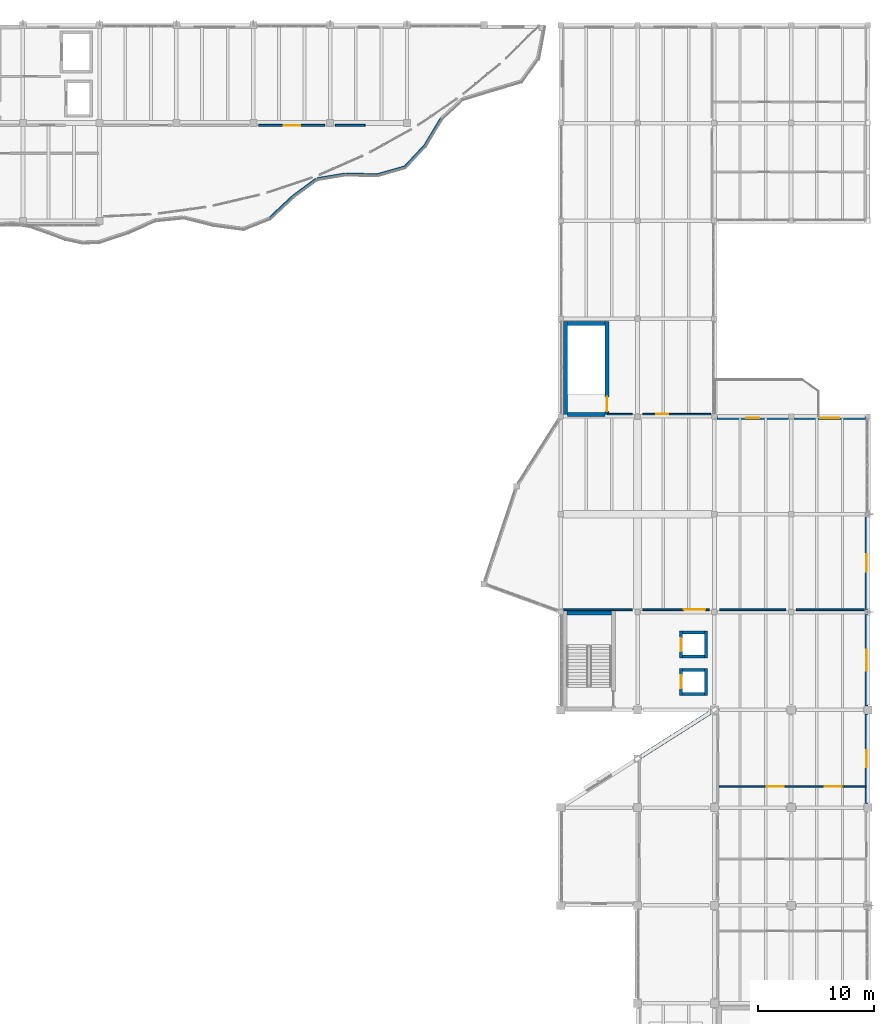
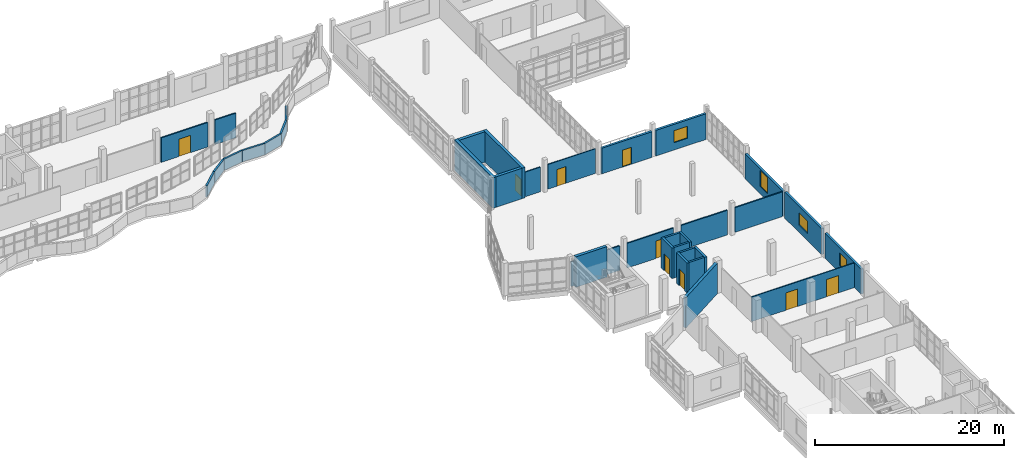
# One storey, part 54 of 74: 35 walls, 9 doors, 4 windows, 13 openings.
"""IFC4 building model written with IfcOpenShell, lengths in metres."""

import ifcopenshell
import ifcopenshell.guid

model = None  # the IFC model being written
_history = None  # IfcOwnerHistory: only IFC2X3 demands one
_inside = {}  # id of a spatial element -> (the spatial element, [elements in it])
_under = {}  # id of a project, library or spatial element -> (it, [spatial elements below it])
_declared = {}  # id of a project -> (the project, [libraries it declares])
_typed = {}  # id of a type object -> (the type object, [elements of that type])
_made_of = {}  # id of a material, layer set ... -> (it, [elements and type objects made of it])


def new_model(schema):
    """Start an empty IFC model of exactly this schema.

    Asked for "IFC4X3", IfcOpenShell would pick the latest addendum, in which some entities
    have other attributes; the version numbers below select the first issue.
    IFC2X3 requires an IfcOwnerHistory on every rooted entity: one is made here for all.
    """
    global model, _history
    if schema == "IFC4X3":
        model = ifcopenshell.file(schema_version=(4, 3, 0, 0))
    else:
        model = ifcopenshell.file(schema=schema)
    _inside.clear()
    _under.clear()
    _declared.clear()
    _typed.clear()
    _made_of.clear()
    _history = None
    if model.schema == "IFC2X3":
        org = make("IfcOrganization", Name="unknown")
        user = make(
            "IfcPersonAndOrganization",
            ThePerson=make("IfcPerson", FamilyName="unknown"),
            TheOrganization=org,
        )
        app = make(
            "IfcApplication",
            ApplicationDeveloper=org,
            Version="unknown",
            ApplicationFullName="unknown",
            ApplicationIdentifier="unknown",
        )
        _history = make(
            "IfcOwnerHistory",
            OwningUser=user,
            OwningApplication=app,
            ChangeAction="ADDED",
            CreationDate=0,
        )
    return model


def make(cls, **values):
    """One entity of the class cls with the attributes given. An attribute that is None is left unset."""
    return model.create_entity(
        cls, **{name: value for name, value in values.items() if value is not None}
    )


def rooted(cls, **values):
    """An entity with a GlobalId (a new one), such as an element, a storey or a relation."""
    return make(cls, GlobalId=ifcopenshell.guid.new(), OwnerHistory=_history, **values)


def si_unit(unit_type, name, prefix=None):
    """IfcSIUnit, for example si_unit("LENGTHUNIT", "METRE", prefix="MILLI")."""
    return make("IfcSIUnit", UnitType=unit_type, Prefix=prefix, Name=name)


def assignment(units):
    """IfcUnitAssignment: the units of a project."""
    return None if units is None else make("IfcUnitAssignment", Units=units)


def point(xyz):
    """IfcCartesianPoint."""
    return None if xyz is None else make("IfcCartesianPoint", Coordinates=xyz)


def direction(xyz):
    """IfcDirection."""
    return None if xyz is None else make("IfcDirection", DirectionRatios=xyz)


def frame(location, z_axis=None, x_axis=None):
    """IfcAxis2Placement3D, a coordinate frame: its origin and axes. An axis left out is left unset."""
    return make(
        "IfcAxis2Placement3D",
        Location=point(location),
        Axis=direction(z_axis),
        RefDirection=direction(x_axis),
    )


def frame_2d(location, x_axis=None):
    """IfcAxis2Placement2D, a coordinate frame in the plane: its origin and x axis."""
    return make(
        "IfcAxis2Placement2D", Location=point(location), RefDirection=direction(x_axis)
    )


def origin():
    """The frame at (0, 0, 0) with its axes left unset."""
    return frame((0.0, 0.0, 0.0))


def place(relative_to, where):
    """IfcLocalPlacement: puts the frame where relative to a parent placement (None: the world)."""
    return make(
        "IfcLocalPlacement", PlacementRelTo=relative_to, RelativePlacement=where
    )


def context(
    kind, dimensions, precision=None, world=None, true_north=None, identifier=None
):
    """IfcGeometricRepresentationContext, for example the 3D "Model" context."""
    return make(
        "IfcGeometricRepresentationContext",
        ContextIdentifier=identifier,
        ContextType=kind,
        CoordinateSpaceDimension=dimensions,
        Precision=precision,
        WorldCoordinateSystem=world,
        TrueNorth=true_north,
    )


def subcontext(parent, identifier, kind, view, scale=None):
    """IfcGeometricRepresentationSubContext, for example "Body" below "Model"."""
    return make(
        "IfcGeometricRepresentationSubContext",
        ContextIdentifier=identifier,
        ContextType=kind,
        ParentContext=parent,
        TargetScale=scale,
        TargetView=view,
    )


def project(units=None, contexts=None):
    """IfcProject with its units and contexts."""
    return rooted(
        "IfcProject",
        Name="project",
        RepresentationContexts=contexts,
        UnitsInContext=assignment(units),
    )


def spatial(cls, under=None, at=None, **own):
    """A site, building, storey or space (cls), placed at a placement, below another one or the project."""
    s = rooted(cls, ObjectPlacement=at, **own)
    if under is not None:
        _under.setdefault(under.id(), (under, []))[1].append(s)
    return s


def profile(cls, at=None, kind="AREA", **sizes):
    """A parametric profile (cls). Its sizes go by their IFC names, for example OverallWidth=200.0."""
    return make(cls, ProfileType=kind, Position=at, **sizes)


def rectangle(**sizes):
    """IfcRectangleProfileDef."""
    return profile("IfcRectangleProfileDef", **sizes)


def extrude(swept, where, along, depth):
    """IfcExtrudedAreaSolid: the profile swept, set in the frame where, extruded along a direction by depth."""
    return make(
        "IfcExtrudedAreaSolid",
        SweptArea=swept,
        Position=where,
        ExtrudedDirection=direction(along),
        Depth=depth,
    )


def shape(context_of_items, identifier, shape_type, items):
    """IfcShapeRepresentation: the items that make up one representation, for example the "Body"."""
    return make(
        "IfcShapeRepresentation",
        ContextOfItems=context_of_items,
        RepresentationIdentifier=identifier,
        RepresentationType=shape_type,
        Items=items,
    )


def material(Name=None, Category=None):
    """IfcMaterial."""
    return make("IfcMaterial", Name=Name, Category=Category)


def layer(
    of_material, thickness, ventilated=None, Name=None, Category=None, Priority=None
):
    """IfcMaterialLayer: one layer of a wall or slab, of a material (None: an air gap)."""
    return make(
        "IfcMaterialLayer",
        Material=of_material,
        LayerThickness=thickness,
        IsVentilated=ventilated,
        Name=Name,
        Category=Category,
        Priority=Priority,
    )


def layer_set(layers, Name=None):
    """IfcMaterialLayerSet."""
    return make("IfcMaterialLayerSet", MaterialLayers=layers, LayerSetName=Name)


def made_of(thing, what):
    """Note that an element or type object is made of a material, layer set ...; save() writes the relation."""
    if what is not None:
        _made_of.setdefault(what.id(), (what, []))[1].append(thing)
    return thing


def type_object(cls, material=None, **own):
    """A type object (cls), such as IfcWallType, which elements share."""
    return made_of(rooted(cls, **own), material)


def element(
    cls,
    number,
    at=None,
    inside=None,
    cuts=None,
    type_object=None,
    material=None,
    context=None,
    identifier="Body",
    shape_type=None,
    held_by="IfcProductDefinitionShape",
    body=None,
    shapes=None,
    **own,
):
    """One element of the class cls, such as IfcWall. Its Tag is "e" and its number.

    at: its placement. inside: the storey or other place that contains it. cuts: it is an
    opening in that element (IfcRelVoidsElement). A single representation is given by context,
    identifier, shape_type and body (its items); several are given by shapes. held_by: the class
    of the entity that holds the representations. save() writes the other relations.
    """
    e = rooted(cls, Tag="e%d" % number, ObjectPlacement=at, **own)
    if body is not None:
        shapes = [shape(context, identifier, shape_type, body)]
    if shapes is not None:
        e.Representation = make(held_by, Representations=shapes)
    if inside is not None:
        _inside.setdefault(inside.id(), (inside, []))[1].append(e)
    if cuts is not None:
        rooted(
            "IfcRelVoidsElement", RelatingBuildingElement=cuts, RelatedOpeningElement=e
        )
    if type_object is not None:
        _typed.setdefault(type_object.id(), (type_object, []))[1].append(e)
    return made_of(e, material)


def fill(opening, filler):
    """IfcRelFillsElement: the door or window that sits in an opening."""
    return rooted(
        "IfcRelFillsElement",
        RelatingOpeningElement=opening,
        RelatedBuildingElement=filler,
    )


def aggregate(whole, parts):
    """IfcRelAggregates: a whole, such as a stair, and the parts it consists of."""
    return rooted("IfcRelAggregates", RelatingObject=whole, RelatedObjects=parts)


def save(model, path):
    """Write the relations noted so far, then the file.

    IfcRelAggregates (storeys below a building ...), IfcRelContainedInSpatialStructure (elements
    in a storey), IfcRelDefinesByType, IfcRelAssociatesMaterial and IfcRelDeclares: one each for
    every whole, place, type object, material and project.
    """
    for whole, parts in _under.values():
        aggregate(whole, parts)
    for where, things in _inside.values():
        rooted(
            "IfcRelContainedInSpatialStructure",
            RelatedElements=things,
            RelatingStructure=where,
        )
    for kind, things in _typed.values():
        rooted("IfcRelDefinesByType", RelatedObjects=things, RelatingType=kind)
    for what, things in _made_of.values():
        rooted("IfcRelAssociatesMaterial", RelatedObjects=things, RelatingMaterial=what)
    for by, libraries in _declared.values():
        rooted("IfcRelDeclares", RelatingContext=by, RelatedDefinitions=libraries)
    model.write(path)


model = new_model("IFC4")

# Units and contexts
model_context = context("Model", 3, precision=1e-05, world=origin(), true_north=direction((0.0, 1.0)))
body_context = subcontext(model_context, "Body", "Model", "MODEL_VIEW")
ifc_project = project(units=[si_unit("LENGTHUNIT", "METRE"), si_unit("AREAUNIT", "SQUARE_METRE"), si_unit("VOLUMEUNIT", "CUBIC_METRE"), si_unit("PLANEANGLEUNIT", "RADIAN"), si_unit("MASSUNIT", "GRAM", prefix="KILO")], contexts=[model_context])

# Site, building, storey
site_placement = place(None, origin())
site = spatial("IfcSite", under=ifc_project, at=site_placement, CompositionType="ELEMENT")
building_placement = place(site_placement, origin())
building = spatial("IfcBuilding", under=site, at=building_placement, Name="Qaldarim Faculty of Natural and Applied Sciences", CompositionType="ELEMENT")
storey_placement = place(building_placement, frame((0.0, 0.0, 14.39990234375)))
storey = spatial("IfcBuildingStorey", under=building, at=storey_placement, Name="L03", CompositionType="ELEMENT", Elevation=14.39990234375)

# Wall
ifc_material_1 = material(Name="Painted gypsum partition board")
ifc_layer_1 = layer(ifc_material_1, 0.1201171875)
ifc_layer_set_1 = layer_set([ifc_layer_1], Name="Painted gypsum partition board")
wall_type_1 = type_object("IfcWallType", Name="AcousticPartition-120", PredefinedType="PARTITIONING", material=ifc_layer_set_1)
wall_1_placement = place(storey_placement, frame((155.800048828125, 84.199951171875, 0.0), z_axis=(0.0, 0.0, 1.0), x_axis=(1.0, 0.0, 0.0)))
element("IfcWall", 1, at=wall_1_placement, inside=storey, type_object=wall_type_1, Name="Interior partition PRT-L03-V3-DIGS-S1", PredefinedType="PARTITIONING", context=body_context, shape_type="SweptSolid", body=[
    extrude(rectangle(XDim=2.14990234375, YDim=0.1201171875, at=frame_2d((1.074951171875, 0.0))), origin(), (0.0, 0.0, 1.0), 3.190185546875),
])

# Wall, opening, door
wall_2_placement = place(storey_placement, frame((158.85009765625, 84.199951171875, 0.0), z_axis=(0.0, 0.0, 1.0), x_axis=(1.0, 0.0, 0.0)))
wall_2 = element("IfcWall", 2, at=wall_2_placement, inside=storey, type_object=wall_type_1, Name="Interior partition PRT-L03-V3-DIGS-S2", PredefinedType="PARTITIONING", context=body_context, shape_type="SweptSolid", body=[
    extrude(rectangle(XDim=5.829833984375, YDim=0.1201171875, at=frame_2d((2.9150390625, 0.0))), origin(), (0.0, 0.0, 1.0), 3.190185546875),
])
opening_1_placement = place(wall_2_placement, frame((1.14990234375, 0.0, 0.0)))
opening_1 = element("IfcOpeningElement", 3, at=opening_1_placement, cuts=wall_2, Name="Opening ID02", PredefinedType="OPENING", context=body_context, shape_type="SweptSolid", body=[
    extrude(rectangle(XDim=1.050048828125, YDim=2.14990234375, at=frame_2d((0.52490234375, 1.074951171875))), frame((0.0, 0.070068359375, 0.0), z_axis=(0.0, -1.0, 0.0), x_axis=(1.0, 0.0, 0.0)), (0.0, 0.0, 1.0), 0.14013671875),
])
ifc_material_2 = material(Name="Oak hardwood", Category="wood")
door_type_1 = type_object("IfcDoorType", Name="AccessibleRoomDoor-1050x2150", OperationType="NOTDEFINED", PredefinedType="DOOR", material=ifc_material_2)
door_1_placement = place(opening_1_placement, origin())
door_1 = element("IfcDoor", 4, at=door_1_placement, inside=storey, type_object=door_type_1, Name="Interior door D-L03-236", OperationType="SINGLE_SWING_LEFT", OverallHeight=2.14990234375, OverallWidth=1.050048828125, PredefinedType="DOOR", context=body_context, shape_type="SweptSolid", body=[
    extrude(rectangle(XDim=1.050048828125, YDim=2.14990234375, at=frame_2d((0.52490234375, 1.074951171875))), frame((0.0, 0.02490234375, 0.0), z_axis=(0.0, -1.0, 0.0), x_axis=(1.0, 0.0, 0.0)), (0.0, 0.0, 1.0), 0.050048828125),
])
fill(opening_1, door_1)

# Wall, openings, doors
wall_3_placement = place(storey_placement, frame((165.300048828125, 52.199951171875, 0.0), z_axis=(0.0, 0.0, 1.0), x_axis=(1.0, 0.0, 0.0)))
wall_3 = element("IfcWall", 5, at=wall_3_placement, inside=storey, type_object=wall_type_1, Name="Interior partition PRT-L03-V5-SUB-3", PredefinedType="PARTITIONING", context=body_context, shape_type="SweptSolid", body=[
    extrude(rectangle(XDim=12.75, YDim=0.1201171875, at=frame_2d((6.375, 0.0))), origin(), (0.0, 0.0, 1.0), 3.190185546875),
])
opening_2_placement = place(wall_3_placement, frame((4.199951171875, 0.0, 0.0)))
opening_2 = element("IfcOpeningElement", 6, at=opening_2_placement, cuts=wall_3, Name="Opening ID11", PredefinedType="OPENING", context=body_context, shape_type="SweptSolid", body=[
    extrude(rectangle(XDim=1.449951171875, YDim=2.25, at=frame_2d((0.72509765625, 1.125))), frame((0.0, 0.070068359375, 0.0), z_axis=(0.0, -1.0, 0.0), x_axis=(1.0, 0.0, 0.0)), (0.0, 0.0, 1.0), 0.14013671875),
])
opening_3_placement = place(wall_3_placement, frame((9.199951171875, 0.0, 0.0)))
opening_3 = element("IfcOpeningElement", 7, at=opening_3_placement, cuts=wall_3, Name="Opening ID11", PredefinedType="OPENING", context=body_context, shape_type="SweptSolid", body=[
    extrude(rectangle(XDim=1.449951171875, YDim=2.25, at=frame_2d((0.72509765625, 1.125))), frame((0.0, 0.070068359375, 0.0), z_axis=(0.0, -1.0, 0.0), x_axis=(1.0, 0.0, 0.0)), (0.0, 0.0, 1.0), 0.14013671875),
])
ifc_material_3 = material(Name="Architectural stainless steel 316", Category="steel")
door_type_2 = type_object("IfcDoorType", Name="InstrumentSuiteDoor-1450x2250", OperationType="NOTDEFINED", PredefinedType="DOOR", material=ifc_material_3)
door_2_placement = place(opening_2_placement, origin())
door_2 = element("IfcDoor", 8, at=door_2_placement, inside=storey, type_object=door_type_2, Name="Interior door D-L03-333", OperationType="SINGLE_SWING_LEFT", OverallHeight=2.25, OverallWidth=1.449951171875, PredefinedType="DOOR", context=body_context, shape_type="SweptSolid", body=[
    extrude(rectangle(XDim=1.449951171875, YDim=2.25, at=frame_2d((0.72509765625, 1.125))), frame((0.0, 0.02490234375, 0.0), z_axis=(0.0, -1.0, 0.0), x_axis=(1.0, 0.0, 0.0)), (0.0, 0.0, 1.0), 0.050048828125),
])
fill(opening_2, door_2)
door_3_placement = place(opening_3_placement, origin())
door_3 = element("IfcDoor", 9, at=door_3_placement, inside=storey, type_object=door_type_2, Name="Interior door D-L03-334", OperationType="SINGLE_SWING_RIGHT", OverallHeight=2.25, OverallWidth=1.449951171875, PredefinedType="DOOR", context=body_context, shape_type="SweptSolid", body=[
    extrude(rectangle(XDim=1.449951171875, YDim=2.25, at=frame_2d((0.72509765625, 1.125))), frame((0.0, 0.02490234375, 0.0), z_axis=(0.0, -1.0, 0.0), x_axis=(1.0, 0.0, 0.0)), (0.0, 0.0, 1.0), 0.050048828125),
])
fill(opening_3, door_3)

# Walls
ifc_material_4 = material(Name="Concrete C50/60", Category="concrete")
ifc_layer_2 = layer(ifc_material_4, 0.360107421875)
ifc_layer_set_2 = layer_set([ifc_layer_2], Name="Concrete C50/60")
wall_type_2 = type_object("IfcWallType", Name="CoreShearWall-360", PredefinedType="SHEAR", material=ifc_layer_set_2)
wall_4_placement = place(storey_placement, frame((152.35009765625, 67.1298828125, 0.0), z_axis=(0.0, 0.0, 1.0), x_axis=(1.0, 0.0, 0.0)))
element("IfcWall", 10, at=wall_4_placement, inside=storey, type_object=wall_type_2, Name="Core stair ST-C1 north shear wall L03", PredefinedType="SHEAR", context=body_context, shape_type="SweptSolid", body=[
    extrude(rectangle(XDim=3.7998046875, YDim=0.360107421875, at=frame_2d((1.89990234375, 0.0))), origin(), (0.0, 0.0, 1.0), 3.940185546875),
])
wall_5_placement = place(storey_placement, frame((152.219970703125, 83.989990234375, 0.0), z_axis=(0.0, 0.0, 1.0), x_axis=(0.0, 1.0, 0.0)))
element("IfcWall", 11, at=wall_5_placement, inside=storey, type_object=wall_type_2, Name="Core stair ST-C2 west shear wall L03", PredefinedType="SHEAR", context=body_context, shape_type="SweptSolid", body=[
    extrude(rectangle(XDim=8.169921875, YDim=0.360107421875, at=frame_2d((4.0849609375, 0.0))), origin(), (0.0, 0.0, 1.0), 3.940185546875),
])

# Wall, opening, door
wall_6_placement = place(storey_placement, frame((155.780029296875, 83.989990234375, 0.0), z_axis=(0.0, 0.0, 1.0), x_axis=(0.0, 1.0, 0.0)))
wall_6 = element("IfcWall", 12, at=wall_6_placement, inside=storey, type_object=wall_type_2, Name="Core stair ST-C2 east shear wall L03", PredefinedType="SHEAR", context=body_context, shape_type="SweptSolid", body=[
    extrude(rectangle(XDim=8.169921875, YDim=0.360107421875, at=frame_2d((4.0849609375, 0.0))), origin(), (0.0, 0.0, 1.0), 3.940185546875),
])
opening_4_placement = place(wall_6_placement, frame((0.449951171875, 0.0, 0.0)))
opening_4 = element("IfcOpeningElement", 13, at=opening_4_placement, cuts=wall_6, Name="Opening ID04", PredefinedType="OPENING", context=body_context, shape_type="SweptSolid", body=[
    extrude(rectangle(XDim=1.25, YDim=2.14990234375, at=frame_2d((0.625, 1.074951171875))), frame((0.0, 0.18994140625, 0.0), z_axis=(0.0, -1.0, 0.0), x_axis=(1.0, 0.0, 0.0)), (0.0, 0.0, 1.0), 0.380126953125),
])
door_type_3 = type_object("IfcDoorType", Name="StairEnclosureFireDoor-1250x2150", OperationType="NOTDEFINED", PredefinedType="DOOR", material=ifc_material_3)
door_4_placement = place(opening_4_placement, origin())
door_4 = element("IfcDoor", 14, at=door_4_placement, inside=storey, type_object=door_type_3, Name="Protected stair ST-C2 fire door D-L03-547", OperationType="SINGLE_SWING_LEFT", OverallHeight=2.14990234375, OverallWidth=1.25, PredefinedType="DOOR", context=body_context, shape_type="SweptSolid", body=[
    extrude(rectangle(XDim=1.25, YDim=2.14990234375, at=frame_2d((0.625, 1.074951171875))), frame((0.0, 0.02490234375, 0.0), z_axis=(0.0, -1.0, 0.0), x_axis=(1.0, 0.0, 0.0)), (0.0, 0.0, 1.0), 0.050048828125),
])
fill(opening_4, door_4)

# Walls
for number, where, z_axis, x_axis, name in (
    (15, (152.39990234375, 91.97998046875, 0.0), (0.0, 0.0, 1.0), (1.0, 0.0, 0.0), "Core stair ST-C2 north shear wall L03"),
    (16, (152.39990234375, 84.169921875, 0.0), (0.0, 0.0, 1.0), (1.0, 0.0, 0.0), "Core stair ST-C2 south shear wall L03"),
):
    element("IfcWall", number, at=place(storey_placement, frame(where, z_axis=z_axis, x_axis=x_axis)), inside=storey, type_object=wall_type_2, Name=name, PredefinedType="SHEAR", context=body_context, shape_type="SweptSolid", body=[
        extrude(rectangle(XDim=3.2001953125, YDim=0.360107421875, at=frame_2d((1.60009765625, 0.0))), origin(), (0.0, 0.0, 1.0), 3.940185546875),
    ])

# Wall, opening, door
ifc_material_5 = material(Name="Precast concrete C40/50", Category="concrete")
ifc_layer_3 = layer(ifc_material_5, 0.280029296875)
ifc_layer_set_3 = layer_set([ifc_layer_3], Name="Precast concrete C40/50")
wall_type_3 = type_object("IfcWallType", Name="ExteriorSpandrelWall-280", PredefinedType="SOLIDWALL", material=ifc_layer_set_3)
wall_7_placement = place(storey_placement, frame((171.3798828125, 83.860107421875, 0.0), z_axis=(0.0, 0.0, 1.0), x_axis=(-1.0, 0.0, 0.0)))
wall_7 = element("IfcWall", 17, at=wall_7_placement, inside=storey, type_object=wall_type_3, Name="Exterior wall EW02 L03 N X26Y10", PredefinedType="SOLIDWALL", context=body_context, shape_type="SweptSolid", body=[
    extrude(rectangle(XDim=6.159912109375, YDim=0.280029296875, at=frame_2d((3.080078125, 0.0))), origin(), (0.0, 0.0, 1.0), 3.3251953125),
])
opening_5_placement = place(wall_7_placement, frame((2.530029296875, 0.0, 0.0)))
opening_5 = element("IfcOpeningElement", 18, at=opening_5_placement, cuts=wall_7, Name="Opening ED03", PredefinedType="OPENING", context=body_context, shape_type="SweptSolid", body=[
    extrude(rectangle(XDim=1.10009765625, YDim=2.199951171875, at=frame_2d((0.550048828125, 1.10009765625))), frame((0.0, 0.14990234375, 0.0), z_axis=(0.0, -1.0, 0.0), x_axis=(1.0, 0.0, 0.0)), (0.0, 0.0, 1.0), 0.300048828125),
])
ifc_material_6 = material(Name="Anodised aluminium AW-6063", Category="aluminium")
door_type_4 = type_object("IfcDoorType", Name="TerraceAccessDoor-1100x2200", OperationType="NOTDEFINED", PredefinedType="DOOR", material=ifc_material_6)
door_5_placement = place(opening_5_placement, frame((1.10009765625, 0.0, 0.0), z_axis=(0.0, 0.0, 1.0), x_axis=(-1.0, 0.0, 0.0)))
door_5 = element("IfcDoor", 19, at=door_5_placement, inside=storey, type_object=door_type_4, Name="Terrace access door D-L03-024", OperationType="SINGLE_SWING_LEFT", OverallHeight=2.199951171875, OverallWidth=1.10009765625, PredefinedType="DOOR", context=body_context, shape_type="SweptSolid", body=[
    extrude(rectangle(XDim=1.10009765625, YDim=2.199951171875, at=frame_2d((0.550048828125, 1.10009765625))), frame((0.0, 0.02490234375, 0.0), z_axis=(0.0, -1.0, 0.0), x_axis=(1.0, 0.0, 0.0)), (0.0, 0.0, 1.0), 0.050048828125),
])
fill(opening_5, door_5)

# Wall, opening, window
wall_8_placement = place(storey_placement, frame((178.06005859375, 50.7451171875, 0.0), z_axis=(0.0, 0.0, 1.0), x_axis=(0.0, 1.0, 0.0)))
wall_8 = element("IfcWall", 20, at=wall_8_placement, inside=storey, type_object=wall_type_3, Name="Exterior wall EW02 L03 E X27Y07", PredefinedType="SOLIDWALL", context=body_context, shape_type="SweptSolid", body=[
    extrude(rectangle(XDim=7.7099609375, YDim=0.280029296875, at=frame_2d((3.85498046875, 0.0))), origin(), (0.0, 0.0, 1.0), 3.22509765625),
])
opening_6_placement = place(wall_8_placement, frame((3.1298828125, 0.0, 0.949951171875)))
opening_6 = element("IfcOpeningElement", 21, at=opening_6_placement, cuts=wall_8, Name="Opening WN32", PredefinedType="OPENING", context=body_context, shape_type="SweptSolid", body=[
    extrude(rectangle(XDim=1.449951171875, YDim=1.60009765625, at=frame_2d((0.72509765625, 0.800048828125))), frame((0.0, 0.14990234375, 0.0), z_axis=(0.0, -1.0, 0.0), x_axis=(1.0, 0.0, 0.0)), (0.0, 0.0, 1.0), 0.300048828125),
])
ifc_material_7 = material(Name="Insulated low-e double glazing", Category="glass")
window_type_1 = type_object("IfcWindowType", Name="SeminarWindow-1450x1600", PartitioningType="DOUBLE_PANEL_VERTICAL", PredefinedType="WINDOW", material=ifc_material_7)
window_1_placement = place(opening_6_placement, origin())
window_1 = element("IfcWindow", 22, at=window_1_placement, inside=storey, type_object=window_type_1, Name="Facade window WN32 L03 E X27Y07", OverallHeight=1.60009765625, OverallWidth=1.449951171875, PartitioningType="SINGLE_PANEL", PredefinedType="WINDOW", context=body_context, shape_type="SweptSolid", body=[
    extrude(rectangle(XDim=1.449951171875, YDim=1.60009765625, at=frame_2d((0.72509765625, 0.800048828125))), frame((0.0, 0.030029296875, 0.0), z_axis=(0.0, -1.0, 0.0), x_axis=(1.0, 0.0, 0.0)), (0.0, 0.0, 1.0), 0.06005859375),
])
fill(opening_6, window_1)

wall_9_placement = place(storey_placement, frame((178.06005859375, 59.14501953125, 0.0), z_axis=(0.0, 0.0, 1.0), x_axis=(0.0, 1.0, 0.0)))
wall_9 = element("IfcWall", 23, at=wall_9_placement, inside=storey, type_object=wall_type_3, Name="Exterior wall EW02 L03 E X27Y08", PredefinedType="SOLIDWALL", context=body_context, shape_type="SweptSolid", body=[
    extrude(rectangle(XDim=7.8349609375, YDim=0.280029296875, at=frame_2d((3.91748046875, 0.0))), origin(), (0.0, 0.0, 1.0), 3.375),
])
opening_7_placement = place(wall_9_placement, frame((3.02001953125, 0.0, 0.949951171875)))
opening_7 = element("IfcOpeningElement", 24, at=opening_7_placement, cuts=wall_9, Name="Opening WN02", PredefinedType="OPENING", context=body_context, shape_type="SweptSolid", body=[
    extrude(rectangle(XDim=1.800048828125, YDim=1.60009765625, at=frame_2d((0.89990234375, 0.800048828125))), frame((0.0, 0.14990234375, 0.0), z_axis=(0.0, -1.0, 0.0), x_axis=(1.0, 0.0, 0.0)), (0.0, 0.0, 1.0), 0.300048828125),
])
window_type_2 = type_object("IfcWindowType", Name="Window-1800x1600", PartitioningType="DOUBLE_PANEL_VERTICAL", PredefinedType="WINDOW", material=ifc_material_7)
window_2_placement = place(opening_7_placement, origin())
window_2 = element("IfcWindow", 25, at=window_2_placement, inside=storey, type_object=window_type_2, Name="Facade window WN02 L03 E X27Y08", OverallHeight=1.60009765625, OverallWidth=1.800048828125, PartitioningType="SINGLE_PANEL", PredefinedType="WINDOW", context=body_context, shape_type="SweptSolid", body=[
    extrude(rectangle(XDim=1.800048828125, YDim=1.60009765625, at=frame_2d((0.89990234375, 0.800048828125))), frame((0.0, 0.030029296875, 0.0), z_axis=(0.0, -1.0, 0.0), x_axis=(1.0, 0.0, 0.0)), (0.0, 0.0, 1.0), 0.06005859375),
])
fill(opening_7, window_2)

wall_10_placement = place(storey_placement, frame((178.06005859375, 67.419921875, 0.0), z_axis=(0.0, 0.0, 1.0), x_axis=(0.0, 1.0, 0.0)))
wall_10 = element("IfcWall", 26, at=wall_10_placement, inside=storey, type_object=wall_type_3, Name="Exterior wall EW02 L03 E X27Y09", PredefinedType="SOLIDWALL", context=body_context, shape_type="SweptSolid", body=[
    extrude(rectangle(XDim=7.9599609375, YDim=0.280029296875, at=frame_2d((3.97998046875, 0.0))), origin(), (0.0, 0.0, 1.0), 3.22509765625),
])
opening_8_placement = place(wall_10_placement, frame((3.22998046875, 0.0, 0.949951171875)))
opening_8 = element("IfcOpeningElement", 27, at=opening_8_placement, cuts=wall_10, Name="Opening WN06", PredefinedType="OPENING", context=body_context, shape_type="SweptSolid", body=[
    extrude(rectangle(XDim=1.5, YDim=2.10009765625, at=frame_2d((0.75, 1.050048828125))), frame((0.0, 0.14990234375, 0.0), z_axis=(0.0, -1.0, 0.0), x_axis=(1.0, 0.0, 0.0)), (0.0, 0.0, 1.0), 0.300048828125),
])
window_type_3 = type_object("IfcWindowType", Name="Window-1500x2100", PartitioningType="DOUBLE_PANEL_VERTICAL", PredefinedType="WINDOW", material=ifc_material_7)
window_3_placement = place(opening_8_placement, origin())
window_3 = element("IfcWindow", 28, at=window_3_placement, inside=storey, type_object=window_type_3, Name="Facade window WN06 L03 E X27Y09", OverallHeight=2.10009765625, OverallWidth=1.5, PartitioningType="SINGLE_PANEL", PredefinedType="WINDOW", context=body_context, shape_type="SweptSolid", body=[
    extrude(rectangle(XDim=1.5, YDim=2.10009765625, at=frame_2d((0.75, 1.050048828125))), frame((0.0, 0.030029296875, 0.0), z_axis=(0.0, -1.0, 0.0), x_axis=(1.0, 0.0, 0.0)), (0.0, 0.0, 1.0), 0.06005859375),
])
fill(opening_8, window_3)

wall_11_placement = place(storey_placement, frame((177.97998046875, 83.860107421875, 0.0), z_axis=(0.0, 0.0, 1.0), x_axis=(-1.0, 0.0, 0.0)))
wall_11 = element("IfcWall", 29, at=wall_11_placement, inside=storey, type_object=wall_type_3, Name="Exterior wall EW02 L03 N X27Y10", PredefinedType="SOLIDWALL", context=body_context, shape_type="SweptSolid", body=[
    extrude(rectangle(XDim=6.159912109375, YDim=0.280029296875, at=frame_2d((3.080078125, 0.0))), origin(), (0.0, 0.0, 1.0), 3.3251953125),
])
opening_9_placement = place(wall_11_placement, frame((2.2548828125, 0.0, 0.949951171875)))
opening_9 = element("IfcOpeningElement", 30, at=opening_9_placement, cuts=wall_11, Name="Opening WN10", PredefinedType="OPENING", context=body_context, shape_type="SweptSolid", body=[
    extrude(rectangle(XDim=1.64990234375, YDim=1.550048828125, at=frame_2d((0.824951171875, 0.77490234375))), frame((0.0, 0.14990234375, 0.0), z_axis=(0.0, -1.0, 0.0), x_axis=(1.0, 0.0, 0.0)), (0.0, 0.0, 1.0), 0.300048828125),
])
window_type_4 = type_object("IfcWindowType", Name="LabWindow-1650x1550", PartitioningType="DOUBLE_PANEL_VERTICAL", PredefinedType="WINDOW", material=ifc_material_7)
window_4_placement = place(opening_9_placement, origin())
window_4 = element("IfcWindow", 31, at=window_4_placement, inside=storey, type_object=window_type_4, Name="Facade window WN10 L03 N X27Y10", OverallHeight=1.550048828125, OverallWidth=1.64990234375, PartitioningType="SINGLE_PANEL", PredefinedType="WINDOW", context=body_context, shape_type="SweptSolid", body=[
    extrude(rectangle(XDim=1.64990234375, YDim=1.550048828125, at=frame_2d((0.824951171875, 0.77490234375))), frame((0.0, 0.030029296875, 0.0), z_axis=(0.0, -1.0, 0.0), x_axis=(1.0, 0.0, 0.0)), (0.0, 0.0, 1.0), 0.06005859375),
])
fill(opening_9, window_4)

# Wall
ifc_layer_4 = layer(ifc_material_4, 0.340087890625)
ifc_layer_set_4 = layer_set([ifc_layer_4], Name="Concrete C50/60")
wall_type_4 = type_object("IfcWallType", Name="ExteriorStairShearWall-340", PredefinedType="SHEAR", material=ifc_layer_set_4)
wall_12_placement = place(storey_placement, frame((158.64990234375, 54.760009765625, 0.0), z_axis=(0.0, 0.0, 1.0), x_axis=(0.843786613851, 0.536678814829, 0.0)))
element("IfcWall", 32, at=wall_12_placement, inside=storey, type_object=wall_type_4, Name="Oblique NW chamfer braced wall L03 2", PredefinedType="SHEAR", context=body_context, shape_type="SweptSolid", body=[
    extrude(rectangle(XDim=7.2294921875, YDim=0.340087890625, at=frame_2d((3.61474609375, 0.0))), origin(), (0.0, 0.0, 1.0), 3.940185546875),
])

# Wall, opening, door
ifc_material_8 = material(Name="Concrete C40/50", Category="concrete")
ifc_layer_5 = layer(ifc_material_8, 0.159912109375)
ifc_layer_set_5 = layer_set([ifc_layer_5], Name="Concrete C40/50")
wall_type_5 = type_object("IfcWallType", Name="FireCorridorWall-160", PredefinedType="PARTITIONING", material=ifc_layer_set_5)
wall_13_placement = place(storey_placement, frame((125.85009765625, 109.0, 0.0), z_axis=(0.0, 0.0, 1.0), x_axis=(1.0, 0.0, 0.0)))
wall_13 = element("IfcWall", 33, at=wall_13_placement, inside=storey, type_object=wall_type_5, Name="Interior partition PRT-L03-V4-CORSE-S3", PredefinedType="PARTITIONING", context=body_context, shape_type="SweptSolid", body=[
    extrude(rectangle(XDim=5.699951171875, YDim=0.159912109375, at=frame_2d((2.85009765625, 0.0))), origin(), (0.0, 0.0, 1.0), 3.175048828125),
])
opening_10_placement = place(wall_13_placement, frame((2.14990234375, 0.0, 0.0)))
opening_10 = element("IfcOpeningElement", 34, at=opening_10_placement, cuts=wall_13, Name="Opening ID11", PredefinedType="OPENING", context=body_context, shape_type="SweptSolid", body=[
    extrude(rectangle(XDim=1.449951171875, YDim=2.25, at=frame_2d((0.72509765625, 1.125))), frame((0.0, 0.08984375, 0.0), z_axis=(0.0, -1.0, 0.0), x_axis=(1.0, 0.0, 0.0)), (0.0, 0.0, 1.0), 0.179931640625),
])
door_6_placement = place(opening_10_placement, origin())
door_6 = element("IfcDoor", 35, at=door_6_placement, inside=storey, type_object=door_type_2, Name="Interior door D-L03-234", OperationType="SINGLE_SWING_RIGHT", OverallHeight=2.25, OverallWidth=1.449951171875, PredefinedType="DOOR", context=body_context, shape_type="SweptSolid", body=[
    extrude(rectangle(XDim=1.449951171875, YDim=2.25, at=frame_2d((0.72509765625, 1.125))), frame((0.0, 0.02490234375, 0.0), z_axis=(0.0, -1.0, 0.0), x_axis=(1.0, 0.0, 0.0)), (0.0, 0.0, 1.0), 0.050048828125),
])
fill(opening_10, door_6)

# Walls
wall_14_placement = place(storey_placement, frame((132.449951171875, 109.0, 0.0), z_axis=(0.0, 0.0, 1.0), x_axis=(1.0, 0.0, 0.0)))
element("IfcWall", 36, at=wall_14_placement, inside=storey, type_object=wall_type_5, Name="Interior partition PRT-L03-V4-CORSE-S4", PredefinedType="PARTITIONING", context=body_context, shape_type="SweptSolid", body=[
    extrude(rectangle(XDim=2.550048828125, YDim=0.159912109375, at=frame_2d((1.27490234375, 0.0))), origin(), (0.0, 0.0, 1.0), 3.175048828125),
])
wall_15_placement = place(storey_placement, frame((152.0, 67.39990234375, 0.0), z_axis=(0.0, 0.0, 1.0), x_axis=(1.0, 0.0, 0.0)))
element("IfcWall", 37, at=wall_15_placement, inside=storey, type_object=wall_type_5, Name="Interior partition PRT-L03-V3-SPCS-S1", PredefinedType="PARTITIONING", context=body_context, shape_type="SweptSolid", body=[
    extrude(rectangle(XDim=5.949951171875, YDim=0.159912109375, at=frame_2d((2.97509765625, 0.0))), origin(), (0.0, 0.0, 1.0), 3.190185546875),
])

# Wall, opening, door
wall_16_placement = place(storey_placement, frame((158.85009765625, 67.39990234375, 0.0), z_axis=(0.0, 0.0, 1.0), x_axis=(1.0, 0.0, 0.0)))
wall_16 = element("IfcWall", 38, at=wall_16_placement, inside=storey, type_object=wall_type_5, Name="Interior partition PRT-L03-V3-SPCS-S2", PredefinedType="PARTITIONING", context=body_context, shape_type="SweptSolid", body=[
    extrude(rectangle(XDim=5.699951171875, YDim=0.159912109375, at=frame_2d((2.85009765625, 0.0))), origin(), (0.0, 0.0, 1.0), 3.190185546875),
])
opening_11_placement = place(wall_16_placement, frame((3.5, 0.0, 0.0)))
opening_11 = element("IfcOpeningElement", 39, at=opening_11_placement, cuts=wall_16, Name="Opening ID05", PredefinedType="OPENING", context=body_context, shape_type="SweptSolid", body=[
    extrude(rectangle(XDim=1.85009765625, YDim=2.25, at=frame_2d((0.925048828125, 1.125))), frame((0.0, 0.08984375, 0.0), z_axis=(0.0, -1.0, 0.0), x_axis=(1.0, 0.0, 0.0)), (0.0, 0.0, 1.0), 0.179931640625),
])
door_type_5 = type_object("IfcDoorType", Name="LectureDoubleDoor-1850x2250", OperationType="NOTDEFINED", PredefinedType="DOOR", material=ifc_material_2)
door_7_placement = place(opening_11_placement, origin())
door_7 = element("IfcDoor", 40, at=door_7_placement, inside=storey, type_object=door_type_5, Name="Interior door D-L03-235", OperationType="DOUBLE_DOOR_SINGLE_SWING", OverallHeight=2.25, OverallWidth=1.85009765625, PredefinedType="DOOR", context=body_context, shape_type="SweptSolid", body=[
    extrude(rectangle(XDim=1.85009765625, YDim=2.25, at=frame_2d((0.925048828125, 1.125))), frame((0.0, 0.02490234375, 0.0), z_axis=(0.0, -1.0, 0.0), x_axis=(1.0, 0.0, 0.0)), (0.0, 0.0, 1.0), 0.050048828125),
])
fill(opening_11, door_7)

# Walls
wall_17_placement = place(storey_placement, frame((165.449951171875, 67.39990234375, 0.0), z_axis=(0.0, 0.0, 1.0), x_axis=(1.0, 0.0, 0.0)))
element("IfcWall", 41, at=wall_17_placement, inside=storey, type_object=wall_type_5, Name="Interior partition PRT-L03-V3-SPCS-S3", PredefinedType="PARTITIONING", context=body_context, shape_type="SweptSolid", body=[
    extrude(rectangle(XDim=5.699951171875, YDim=0.159912109375, at=frame_2d((2.85009765625, 0.0))), origin(), (0.0, 0.0, 1.0), 3.190185546875),
])
wall_18_placement = place(storey_placement, frame((172.050048828125, 67.39990234375, 0.0), z_axis=(0.0, 0.0, 1.0), x_axis=(1.0, 0.0, 0.0)))
element("IfcWall", 42, at=wall_18_placement, inside=storey, type_object=wall_type_5, Name="Interior partition PRT-L03-V3-SPCS-S4", PredefinedType="PARTITIONING", context=body_context, shape_type="SweptSolid", body=[
    extrude(rectangle(XDim=5.829833984375, YDim=0.159912109375, at=frame_2d((2.9150390625, 0.0))), origin(), (0.0, 0.0, 1.0), 3.190185546875),
])

# Wall, opening, door
ifc_layer_6 = layer(ifc_material_8, 0.25)
ifc_layer_set_6 = layer_set([ifc_layer_6], Name="Concrete C40/50")
wall_type_6 = type_object("IfcWallType", Name="LiftShaftWall-250", PredefinedType="SHEAR", material=ifc_layer_set_6)
wall_19_placement = place(storey_placement, frame((162.125, 60.050048828125, 0.0), z_axis=(0.0, 0.0, 1.0), x_axis=(0.0, 1.0, 0.0)))
wall_19 = element("IfcWall", 43, at=wall_19_placement, inside=storey, type_object=wall_type_6, Name="Lift LF-C1 front shaft wall L03", PredefinedType="SHEAR", context=body_context, shape_type="SweptSolid", body=[
    extrude(rectangle(XDim=2.300048828125, YDim=0.25, at=frame_2d((1.14990234375, 0.0))), origin(), (0.0, 0.0, 1.0), 3.940185546875),
])
opening_12_placement = place(wall_19_placement, frame((0.60009765625, 0.0, 0.0)))
opening_12 = element("IfcOpeningElement", 44, at=opening_12_placement, cuts=wall_19, Name="Opening LD01", PredefinedType="OPENING", context=body_context, shape_type="SweptSolid", body=[
    extrude(rectangle(XDim=1.10009765625, YDim=2.14990234375, at=frame_2d((0.550048828125, 1.074951171875))), frame((0.0, 0.135009765625, 0.0), z_axis=(0.0, -1.0, 0.0), x_axis=(1.0, 0.0, 0.0)), (0.0, 0.0, 1.0), 0.27001953125),
])
door_type_6 = type_object("IfcDoorType", Name="LiftLandingSlidingDoor-1100x2150", OperationType="NOTDEFINED", PredefinedType="DOOR", material=ifc_material_3)
door_8_placement = place(opening_12_placement, origin())
door_8 = element("IfcDoor", 45, at=door_8_placement, inside=storey, type_object=door_type_6, Name="Lift landing sliding door LF-C1 D-L03-654", OperationType="SLIDING_TO_LEFT", OverallHeight=2.14990234375, OverallWidth=1.10009765625, PredefinedType="DOOR", context=body_context, shape_type="SweptSolid", body=[
    extrude(rectangle(XDim=1.10009765625, YDim=2.14990234375, at=frame_2d((0.550048828125, 1.074951171875))), frame((0.0, 0.02490234375, 0.0), z_axis=(0.0, -1.0, 0.0), x_axis=(1.0, 0.0, 0.0)), (0.0, 0.0, 1.0), 0.050048828125),
])
fill(opening_12, door_8)

# Walls
wall_20_placement = place(storey_placement, frame((164.27490234375, 60.050048828125, 0.0), z_axis=(0.0, 0.0, 1.0), x_axis=(0.0, 1.0, 0.0)))
element("IfcWall", 46, at=wall_20_placement, inside=storey, type_object=wall_type_6, Name="Lift LF-C1 rear shaft wall L03", PredefinedType="SHEAR", context=body_context, shape_type="SweptSolid", body=[
    extrude(rectangle(XDim=2.300048828125, YDim=0.25, at=frame_2d((1.14990234375, 0.0))), origin(), (0.0, 0.0, 1.0), 3.940185546875),
])
for number, where, z_axis, x_axis, name in (
    (47, (162.25, 60.175048828125, 0.0), (0.0, 0.0, 1.0), (1.0, 0.0, 0.0), "Lift LF-C1 south shaft wall L03"),
    (48, (162.25, 62.22509765625, 0.0), (0.0, 0.0, 1.0), (1.0, 0.0, 0.0), "Lift LF-C1 north shaft wall L03"),
):
    element("IfcWall", number, at=place(storey_placement, frame(where, z_axis=z_axis, x_axis=x_axis)), inside=storey, type_object=wall_type_6, Name=name, PredefinedType="SHEAR", context=body_context, shape_type="SweptSolid", body=[
        extrude(rectangle(XDim=1.89990234375, YDim=0.25, at=frame_2d((0.949951171875, 0.0))), origin(), (0.0, 0.0, 1.0), 3.940185546875),
    ])

# Wall, opening, door
wall_21_placement = place(storey_placement, frame((162.125, 63.25, 0.0), z_axis=(0.0, 0.0, 1.0), x_axis=(0.0, 1.0, 0.0)))
wall_21 = element("IfcWall", 49, at=wall_21_placement, inside=storey, type_object=wall_type_6, Name="Lift LF-C2 front shaft wall L03", PredefinedType="SHEAR", context=body_context, shape_type="SweptSolid", body=[
    extrude(rectangle(XDim=2.300048828125, YDim=0.25, at=frame_2d((1.14990234375, 0.0))), origin(), (0.0, 0.0, 1.0), 3.940185546875),
])
opening_13_placement = place(wall_21_placement, frame((0.60009765625, 0.0, 0.0)))
opening_13 = element("IfcOpeningElement", 50, at=opening_13_placement, cuts=wall_21, Name="Opening LD01", PredefinedType="OPENING", context=body_context, shape_type="SweptSolid", body=[
    extrude(rectangle(XDim=1.10009765625, YDim=2.14990234375, at=frame_2d((0.550048828125, 1.074951171875))), frame((0.0, 0.135009765625, 0.0), z_axis=(0.0, -1.0, 0.0), x_axis=(1.0, 0.0, 0.0)), (0.0, 0.0, 1.0), 0.27001953125),
])
door_9_placement = place(opening_13_placement, origin())
door_9 = element("IfcDoor", 51, at=door_9_placement, inside=storey, type_object=door_type_6, Name="Lift landing sliding door LF-C2 D-L03-660", OperationType="SLIDING_TO_LEFT", OverallHeight=2.14990234375, OverallWidth=1.10009765625, PredefinedType="DOOR", context=body_context, shape_type="SweptSolid", body=[
    extrude(rectangle(XDim=1.10009765625, YDim=2.14990234375, at=frame_2d((0.550048828125, 1.074951171875))), frame((0.0, 0.02490234375, 0.0), z_axis=(0.0, -1.0, 0.0), x_axis=(1.0, 0.0, 0.0)), (0.0, 0.0, 1.0), 0.050048828125),
])
fill(opening_13, door_9)

# Walls
wall_22_placement = place(storey_placement, frame((164.27490234375, 63.25, 0.0), z_axis=(0.0, 0.0, 1.0), x_axis=(0.0, 1.0, 0.0)))
element("IfcWall", 52, at=wall_22_placement, inside=storey, type_object=wall_type_6, Name="Lift LF-C2 rear shaft wall L03", PredefinedType="SHEAR", context=body_context, shape_type="SweptSolid", body=[
    extrude(rectangle(XDim=2.300048828125, YDim=0.25, at=frame_2d((1.14990234375, 0.0))), origin(), (0.0, 0.0, 1.0), 3.940185546875),
])
for number, where, z_axis, x_axis, name in (
    (53, (162.25, 63.375, 0.0), (0.0, 0.0, 1.0), (1.0, 0.0, 0.0), "Lift LF-C2 south shaft wall L03"),
    (54, (162.25, 65.425048828125, 0.0), (0.0, 0.0, 1.0), (1.0, 0.0, 0.0), "Lift LF-C2 north shaft wall L03"),
):
    element("IfcWall", number, at=place(storey_placement, frame(where, z_axis=z_axis, x_axis=x_axis)), inside=storey, type_object=wall_type_6, Name=name, PredefinedType="SHEAR", context=body_context, shape_type="SweptSolid", body=[
        extrude(rectangle(XDim=1.89990234375, YDim=0.25, at=frame_2d((0.949951171875, 0.0))), origin(), (0.0, 0.0, 1.0), 3.940185546875),
    ])
ifc_material_9 = material(Name="White architectural precast concrete C40/50", Category="concrete")
ifc_layer_7 = layer(ifc_material_9, 0.219970703125)
ifc_layer_set_7 = layer_set([ifc_layer_7], Name="White architectural precast concrete C40/50")
wall_type_7 = type_object("IfcWallType", Name="WhitePrecastWaveBand-220", PredefinedType="SOLIDWALL", material=ifc_layer_set_7)
wall_23_placement = place(storey_placement, frame((126.784912109375, 101.014892578125, 0.0), z_axis=(0.0, 0.0, 1.0), x_axis=(0.730545406859, 0.682864121563, 0.0)))
element("IfcWall", 55, at=wall_23_placement, inside=storey, type_object=wall_type_7, Name="White precast wave spandrel band L03 chord 60", PredefinedType="SOLIDWALL", context=body_context, shape_type="SweptSolid", body=[
    extrude(rectangle(XDim=2.723876953125, YDim=0.219970703125, at=frame_2d((1.36181640625, 0.0))), origin(), (0.0, 0.0, 1.0), 1.4501953125),
])
wall_24_placement = place(storey_placement, frame((128.784912109375, 102.889892578125, 0.0), z_axis=(0.0, 0.0, 1.0), x_axis=(0.803784295938, 0.594920839778, 0.0)))
element("IfcWall", 56, at=wall_24_placement, inside=storey, type_object=wall_type_7, Name="White precast wave spandrel band L03 chord 61", PredefinedType="SOLIDWALL", context=body_context, shape_type="SweptSolid", body=[
    extrude(rectangle(XDim=2.51318359375, YDim=0.219970703125, at=frame_2d((1.256591796875, 0.0))), origin(), (0.0, 0.0, 1.0), 1.4501953125),
])
wall_25_placement = place(storey_placement, frame((130.864990234375, 104.409912109375, 0.0), z_axis=(0.0, 0.0, 1.0), x_axis=(0.986447332153, 0.164078215765, 0.0)))
element("IfcWall", 57, at=wall_25_placement, inside=storey, type_object=wall_type_7, Name="White precast wave spandrel band L03 chord 62", PredefinedType="SOLIDWALL", context=body_context, shape_type="SweptSolid", body=[
    extrude(rectangle(XDim=2.468505859375, YDim=0.219970703125, at=frame_2d((1.234375, 0.0))), origin(), (0.0, 0.0, 1.0), 1.4501953125),
])
wall_26_placement = place(storey_placement, frame((133.330078125, 104.81494140625, 0.0), z_axis=(0.0, 0.0, 1.0), x_axis=(0.999716115228, -0.023826224053, 0.0)))
element("IfcWall", 58, at=wall_26_placement, inside=storey, type_object=wall_type_7, Name="White precast wave spandrel band L03 chord 63", PredefinedType="SOLIDWALL", context=body_context, shape_type="SweptSolid", body=[
    extrude(rectangle(XDim=2.7255859375, YDim=0.219970703125, at=frame_2d((1.36279296875, 0.0))), origin(), (0.0, 0.0, 1.0), 1.4501953125),
])
wall_27_placement = place(storey_placement, frame((136.010009765625, 104.7451171875, 0.0), z_axis=(0.0, 0.0, 1.0), x_axis=(0.962268855945, 0.272100438953, 0.0)))
element("IfcWall", 59, at=wall_27_placement, inside=storey, type_object=wall_type_7, Name="White precast wave spandrel band L03 chord 64", PredefinedType="SOLIDWALL", context=body_context, shape_type="SweptSolid", body=[
    extrude(rectangle(XDim=2.53564453125, YDim=0.219970703125, at=frame_2d((1.267822265625, 0.0))), origin(), (0.0, 0.0, 1.0), 1.4501953125),
])
wall_28_placement = place(storey_placement, frame((138.389892578125, 105.39501953125, 0.0), z_axis=(0.0, 0.0, 1.0), x_axis=(0.681585677602, 0.731738316673, 0.0)))
element("IfcWall", 60, at=wall_28_placement, inside=storey, type_object=wall_type_7, Name="White precast wave spandrel band L03 chord 65", PredefinedType="SOLIDWALL", context=body_context, shape_type="SweptSolid", body=[
    extrude(rectangle(XDim=2.58984375, YDim=0.219970703125, at=frame_2d((1.294921875, 0.0))), origin(), (0.0, 0.0, 1.0), 1.4501953125),
])
wall_29_placement = place(storey_placement, frame((140.135009765625, 107.264892578125, 0.0), z_axis=(0.0, 0.0, 1.0), x_axis=(0.515304519221, 0.857007148436, 0.0)))
element("IfcWall", 61, at=wall_29_placement, inside=storey, type_object=wall_type_7, Name="White precast wave spandrel band L03 chord 66", PredefinedType="SOLIDWALL", context=body_context, shape_type="SweptSolid", body=[
    extrude(rectangle(XDim=2.707275390625, YDim=0.219970703125, at=frame_2d((1.353515625, 0.0))), origin(), (0.0, 0.0, 1.0), 1.4501953125),
])

save(model, "model.ifc")
